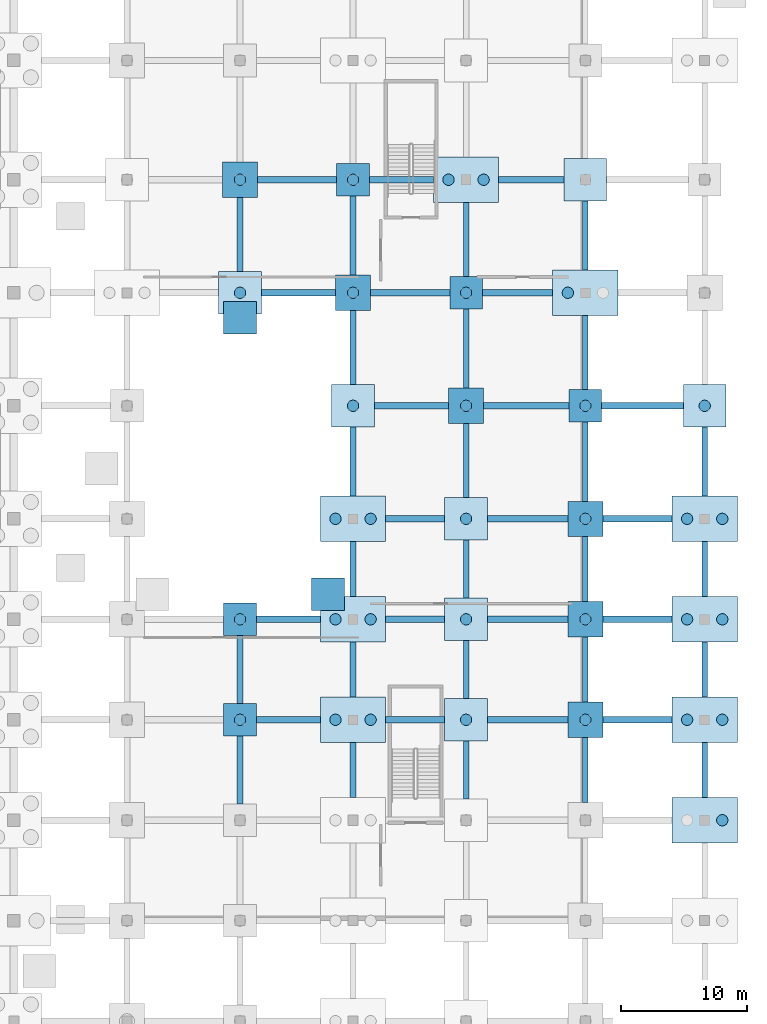
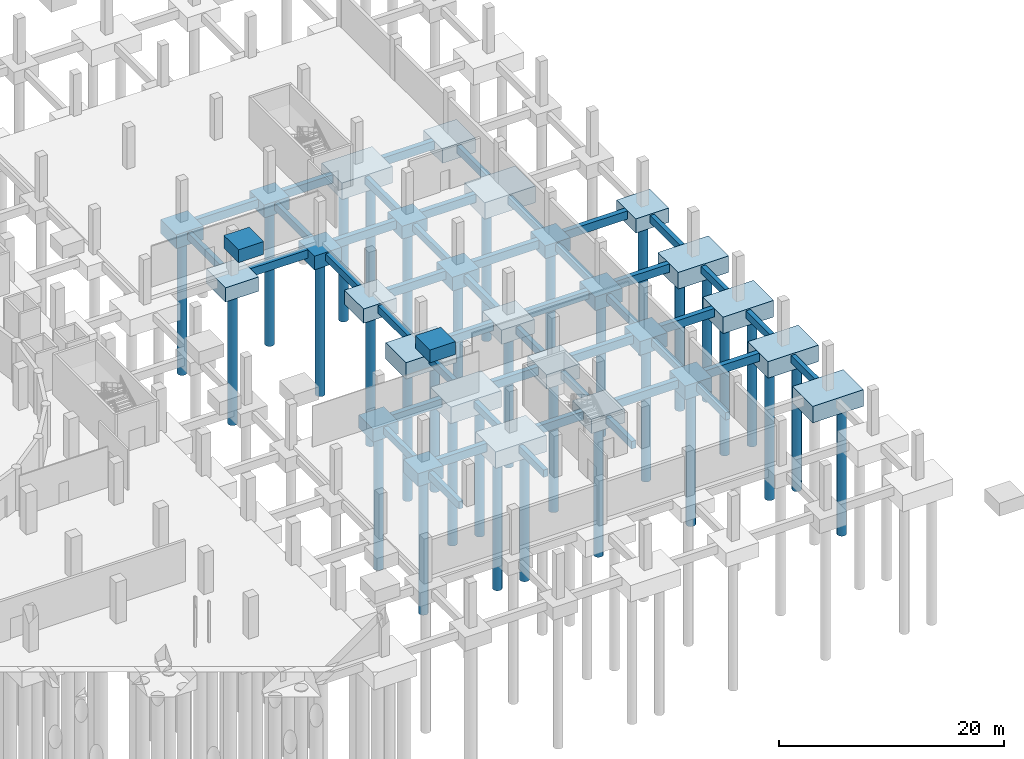
# One storey, part 9 of 40: 74 footings, 33 piles.
"""IFC4 building model written with IfcOpenShell, lengths in metres."""

from ifc_helpers import new_model, si_unit, direction, frame, origin, origin_2d, place, context, subcontext, project, spatial, rectangle, circle, extrude, material, layer, layer_set, material_profile, profile_set, type_object, element, save


model = new_model("IFC4")

# Units and contexts
model_context = context("Model", 3, precision=1e-05, world=origin(), true_north=direction((0.0, 1.0)))
body_context = subcontext(model_context, "Body", "Model", "MODEL_VIEW")
ifc_project = project(units=[si_unit("LENGTHUNIT", "METRE"), si_unit("AREAUNIT", "SQUARE_METRE"), si_unit("VOLUMEUNIT", "CUBIC_METRE"), si_unit("PLANEANGLEUNIT", "RADIAN"), si_unit("MASSUNIT", "GRAM", prefix="KILO")], contexts=[model_context])

# Site, building, storey
site_placement = place(None, origin())
site = spatial("IfcSite", under=ifc_project, at=site_placement, CompositionType="ELEMENT")
building_placement = place(site_placement, origin())
building = spatial("IfcBuilding", under=site, at=building_placement, Name="Marnock Terrace Opera House", CompositionType="ELEMENT")
storey_placement = place(building_placement, frame((0.0, 0.0, -4.800048828125)))
storey = spatial("IfcBuildingStorey", under=building, at=storey_placement, Name="B1", CompositionType="ELEMENT", Elevation=-4.800048828125)

# Footings
ifc_material = material(Name="Concrete N40 (f'c = 40 MPa)", Category="concrete")
ifc_layer_1 = layer(ifc_material, 1.39990234375)
ifc_layer_set_1 = layer_set([ifc_layer_1], Name="Concrete N40 (f'c = 40 MPa)")
footing_type_1 = type_object("IfcFootingType", Name="FT-CAP-2600", PredefinedType="PILE_CAP", material=ifc_layer_set_1)
for number, where, z_axis, x_axis, name in (
    (1, (127.0, 32.0, -1.7998046875), (0.0, 0.0, 1.0), (1.0, 0.0, 0.0), "Pile cap FT-CAP-164"),
    (2, (127.0, 40.0, -1.7998046875), (0.0, 0.0, 1.0), (1.0, 0.0, 0.0), "Pile cap FT-CAP-165"),
    (3, (136.0, 75.0, -1.7998046875), (0.0, 0.0, 1.0), (1.0, 0.0, 0.0), "Pile cap FT-CAP-179"),
    (4, (145.0, 66.0, -1.7998046875), (0.0, 0.0, 1.0), (1.0, 0.0, 0.0), "Pile cap FT-CAP-190"),
    (5, (154.5, 57.0, -1.7998046875), (0.0, 0.0, 1.0), (1.0, 0.0, 0.0), "Pile cap FT-CAP-201"),
):
    element("IfcFooting", number, at=place(storey_placement, frame(where, z_axis=z_axis, x_axis=x_axis)), inside=storey, type_object=footing_type_1, Name=name, PredefinedType="PILE_CAP", context=body_context, shape_type="SweptSolid", body=[
        extrude(rectangle(XDim=2.60009765625, YDim=2.60009765625, at=origin_2d()), origin(), (0.0, 0.0, 1.0), 1.39990234375),
    ])
ifc_layer_2 = layer(ifc_material, 1.5)
ifc_layer_set_2 = layer_set([ifc_layer_2], Name="Concrete N40 (f'c = 40 MPa)")
footing_type_2 = type_object("IfcFootingType", Name="FT-CAP-2800", PredefinedType="PILE_CAP", material=ifc_layer_set_2)
for number, where, z_axis, x_axis, name in (
    (6, (127.0, 75.0, -1.89990234375), (0.0, 0.0, 1.0), (1.0, 0.0, 0.0), "Pile cap FT-CAP-167"),
    (7, (136.0, 66.0, -1.89990234375), (0.0, 0.0, 1.0), (1.0, 0.0, 0.0), "Pile cap FT-CAP-178"),
    (8, (145.0, 57.0, -1.89990234375), (0.0, 0.0, 1.0), (1.0, 0.0, 0.0), "Pile cap FT-CAP-189"),
    (9, (154.5, 32.0, -1.89990234375), (0.0, 0.0, 1.0), (1.0, 0.0, 0.0), "Pile cap FT-CAP-198"),
    (10, (154.5, 40.0, -1.89990234375), (0.0, 0.0, 1.0), (1.0, 0.0, 0.0), "Pile cap FT-CAP-199"),
    (11, (154.5, 48.0, -1.89990234375), (0.0, 0.0, 1.0), (1.0, 0.0, 0.0), "Pile cap FT-CAP-200"),
):
    element("IfcFooting", number, at=place(storey_placement, frame(where, z_axis=z_axis, x_axis=x_axis)), inside=storey, type_object=footing_type_2, Name=name, PredefinedType="PILE_CAP", context=body_context, shape_type="SweptSolid", body=[
        extrude(rectangle(XDim=2.800048828125, YDim=2.800048828125, at=origin_2d()), origin(), (0.0, 0.0, 1.0), 1.5),
    ])
ifc_layer_3 = layer(ifc_material, 1.550048828125)
ifc_layer_set_3 = layer_set([ifc_layer_3], Name="Concrete N40 (f'c = 40 MPa)")
footing_type_3 = type_object("IfcFootingType", Name="FT-CAP-3400", PredefinedType="PILE_CAP", material=ifc_layer_set_3)
for number, where, z_axis, x_axis, name in (
    (12, (127.0, 66.0, -1.9501953125), (0.0, 0.0, 1.0), (1.0, 0.0, 0.0), "Pile cap FT-CAP-166"),
    (13, (136.0, 57.0, -1.9501953125), (0.0, 0.0, 1.0), (1.0, 0.0, 0.0), "Pile cap FT-CAP-177"),
    (14, (145.0, 32.0, -1.9501953125), (0.0, 0.0, 1.0), (1.0, 0.0, 0.0), "Pile cap FT-CAP-186"),
    (15, (145.0, 40.0, -1.9501953125), (0.0, 0.0, 1.0), (1.0, 0.0, 0.0), "Pile cap FT-CAP-187"),
    (16, (145.0, 48.0, -1.9501953125), (0.0, 0.0, 1.0), (1.0, 0.0, 0.0), "Pile cap FT-CAP-188"),
    (17, (154.5, 75.0, -1.9501953125), (0.0, 0.0, 1.0), (1.0, 0.0, 0.0), "Pile cap FT-CAP-203"),
    (18, (164.0, 57.0, -1.9501953125), (0.0, 0.0, 1.0), (1.0, 0.0, 0.0), "Pile cap FT-CAP-213"),
):
    element("IfcFooting", number, at=place(storey_placement, frame(where, z_axis=z_axis, x_axis=x_axis)), inside=storey, type_object=footing_type_3, Name=name, PredefinedType="PILE_CAP", context=body_context, shape_type="SweptSolid", body=[
        extrude(rectangle(XDim=3.39990234375, YDim=3.39990234375, at=origin_2d()), origin(), (0.0, 0.0, 1.0), 1.550048828125),
    ])
ifc_layer_4 = layer(ifc_material, 1.800048828125)
ifc_layer_set_4 = layer_set([ifc_layer_4], Name="Concrete N40 (f'c = 40 MPa)")
footing_type_4 = type_object("IfcFootingType", Name="FT-CAP-5200", PredefinedType="PILE_CAP", material=ifc_layer_set_4)
for number, where, z_axis, x_axis, name in (
    (19, (136.0, 32.0, -2.2001953125), (0.0, 0.0, 1.0), (1.0, 0.0, 0.0), "Pile cap FT-CAP-174"),
    (20, (136.0, 40.0, -2.2001953125), (0.0, 0.0, 1.0), (1.0, 0.0, 0.0), "Pile cap FT-CAP-175"),
    (21, (136.0, 48.0, -2.2001953125), (0.0, 0.0, 1.0), (1.0, 0.0, 0.0), "Pile cap FT-CAP-176"),
    (22, (145.0, 75.0, -2.2001953125), (0.0, 0.0, 1.0), (1.0, 0.0, 0.0), "Pile cap FT-CAP-191"),
    (23, (154.5, 66.0, -2.2001953125), (0.0, 0.0, 1.0), (1.0, 0.0, 0.0), "Pile cap FT-CAP-202"),
    (24, (164.0, 24.0, -2.2001953125), (0.0, 0.0, 1.0), (1.0, 0.0, 0.0), "Pile cap FT-CAP-209"),
    (25, (164.0, 32.0, -2.2001953125), (0.0, 0.0, 1.0), (1.0, 0.0, 0.0), "Pile cap FT-CAP-210"),
    (26, (164.0, 40.0, -2.2001953125), (0.0, 0.0, 1.0), (1.0, 0.0, 0.0), "Pile cap FT-CAP-211"),
    (27, (164.0, 48.0, -2.2001953125), (0.0, 0.0, 1.0), (1.0, 0.0, 0.0), "Pile cap FT-CAP-212"),
):
    element("IfcFooting", number, at=place(storey_placement, frame(where, z_axis=z_axis, x_axis=x_axis)), inside=storey, type_object=footing_type_4, Name=name, PredefinedType="PILE_CAP", context=body_context, shape_type="SweptSolid", body=[
        extrude(rectangle(XDim=5.199951171875, YDim=3.60009765625, at=origin_2d()), origin(), (0.0, 0.0, 1.0), 1.800048828125),
    ])
ifc_material_profile_1 = material_profile(ifc_material, rectangle(XDim=0.449951171875, YDim=0.800048828125, at=origin_2d()))
ifc_profile_set_1 = profile_set([ifc_material_profile_1], Name="Concrete N40 (f'c = 40 MPa)")
footing_type_5 = type_object("IfcFootingType", Name="FT-GB-450", PredefinedType="FOOTING_BEAM", material=ifc_profile_set_1)
for number, where, z_axis, x_axis, name in (
    (28, (127.0, 25.300048828125, -0.949951171875), (0.0, 1.0, 0.0), (-1.0, 0.0, 0.0), "Ground tie beam Y-143"),
    (29, (127.0, 33.300048828125, -0.949951171875), (0.0, 1.0, 0.0), (-1.0, 0.0, 0.0), "Ground tie beam Y-144"),
):
    element("IfcFooting", number, at=place(storey_placement, frame(where, z_axis=z_axis, x_axis=x_axis)), inside=storey, type_object=footing_type_5, Name=name, PredefinedType="FOOTING_BEAM", context=body_context, shape_type="SweptSolid", body=[
        extrude(rectangle(XDim=0.449951171875, YDim=0.800048828125, at=origin_2d()), origin(), (0.0, 0.0, 1.0), 5.39990234375),
    ])
footing_1_placement = place(storey_placement, frame((127.0, 67.699951171875, -0.949951171875), z_axis=(0.0, 1.0, 0.0), x_axis=(-1.0, 0.0, 0.0)))
element("IfcFooting", 30, at=footing_1_placement, inside=storey, type_object=footing_type_5, Name="Ground tie beam Y-145", PredefinedType="FOOTING_BEAM", context=body_context, shape_type="SweptSolid", body=[
    extrude(rectangle(XDim=0.449951171875, YDim=0.800048828125, at=origin_2d()), origin(), (0.0, 0.0, 1.0), 5.900146484375),
])
for number, where, z_axis, x_axis, name in (
    (31, (136.0, 25.800048828125, -0.949951171875), (0.0, 1.0, 0.0), (-1.0, 0.0, 0.0), "Ground tie beam Y-151"),
    (32, (136.0, 33.800048828125, -0.949951171875), (0.0, 1.0, 0.0), (-1.0, 0.0, 0.0), "Ground tie beam Y-152"),
    (33, (136.0, 41.800048828125, -0.949951171875), (0.0, 1.0, 0.0), (-1.0, 0.0, 0.0), "Ground tie beam Y-153"),
):
    element("IfcFooting", number, at=place(storey_placement, frame(where, z_axis=z_axis, x_axis=x_axis)), inside=storey, type_object=footing_type_5, Name=name, PredefinedType="FOOTING_BEAM", context=body_context, shape_type="SweptSolid", body=[
        extrude(rectangle(XDim=0.449951171875, YDim=0.800048828125, at=origin_2d()), origin(), (0.0, 0.0, 1.0), 4.39990234375),
    ])
footing_2_placement = place(storey_placement, frame((136.0, 49.800048828125, -0.949951171875), z_axis=(0.0, 1.0, 0.0), x_axis=(-1.0, 0.0, 0.0)))
element("IfcFooting", 34, at=footing_2_placement, inside=storey, type_object=footing_type_5, Name="Ground tie beam Y-154", PredefinedType="FOOTING_BEAM", context=body_context, shape_type="SweptSolid", body=[
    extrude(rectangle(XDim=0.449951171875, YDim=0.800048828125, at=origin_2d()), origin(), (0.0, 0.0, 1.0), 5.5),
])
footing_3_placement = place(storey_placement, frame((136.0, 58.699951171875, -0.949951171875), z_axis=(0.0, 1.0, 0.0), x_axis=(-1.0, 0.0, 0.0)))
element("IfcFooting", 35, at=footing_3_placement, inside=storey, type_object=footing_type_5, Name="Ground tie beam Y-155", PredefinedType="FOOTING_BEAM", context=body_context, shape_type="SweptSolid", body=[
    extrude(rectangle(XDim=0.449951171875, YDim=0.800048828125, at=origin_2d()), origin(), (0.0, 0.0, 1.0), 5.900146484375),
])
footing_4_placement = place(storey_placement, frame((136.0, 67.39990234375, -0.949951171875), z_axis=(0.0, 1.0, 0.0), x_axis=(-1.0, 0.0, 0.0)))
element("IfcFooting", 36, at=footing_4_placement, inside=storey, type_object=footing_type_5, Name="Ground tie beam Y-156", PredefinedType="FOOTING_BEAM", context=body_context, shape_type="SweptSolid", body=[
    extrude(rectangle(XDim=0.449951171875, YDim=0.800048828125, at=origin_2d()), origin(), (0.0, 0.0, 1.0), 6.300048828125),
])
for number, where, z_axis, x_axis, name in (
    (37, (145.0, 25.699951171875, -0.949951171875), (0.0, 1.0, 0.0), (-1.0, 0.0, 0.0), "Ground tie beam Y-162"),
    (38, (145.0, 33.699951171875, -0.949951171875), (0.0, 1.0, 0.0), (-1.0, 0.0, 0.0), "Ground tie beam Y-163"),
    (39, (145.0, 41.699951171875, -0.949951171875), (0.0, 1.0, 0.0), (-1.0, 0.0, 0.0), "Ground tie beam Y-164"),
):
    element("IfcFooting", number, at=place(storey_placement, frame(where, z_axis=z_axis, x_axis=x_axis)), inside=storey, type_object=footing_type_5, Name=name, PredefinedType="FOOTING_BEAM", context=body_context, shape_type="SweptSolid", body=[
        extrude(rectangle(XDim=0.449951171875, YDim=0.800048828125, at=origin_2d()), origin(), (0.0, 0.0, 1.0), 4.60009765625),
    ])
footing_5_placement = place(storey_placement, frame((145.0, 49.699951171875, -0.949951171875), z_axis=(0.0, 1.0, 0.0), x_axis=(-1.0, 0.0, 0.0)))
element("IfcFooting", 40, at=footing_5_placement, inside=storey, type_object=footing_type_5, Name="Ground tie beam Y-165", PredefinedType="FOOTING_BEAM", context=body_context, shape_type="SweptSolid", body=[
    extrude(rectangle(XDim=0.449951171875, YDim=0.800048828125, at=origin_2d()), origin(), (0.0, 0.0, 1.0), 5.900146484375),
])
footing_6_placement = place(storey_placement, frame((145.0, 58.39990234375, -0.949951171875), z_axis=(0.0, 1.0, 0.0), x_axis=(-1.0, 0.0, 0.0)))
element("IfcFooting", 41, at=footing_6_placement, inside=storey, type_object=footing_type_5, Name="Ground tie beam Y-166", PredefinedType="FOOTING_BEAM", context=body_context, shape_type="SweptSolid", body=[
    extrude(rectangle(XDim=0.449951171875, YDim=0.800048828125, at=origin_2d()), origin(), (0.0, 0.0, 1.0), 6.300048828125),
])
footing_7_placement = place(storey_placement, frame((145.0, 67.300048828125, -0.949951171875), z_axis=(0.0, 1.0, 0.0), x_axis=(-1.0, 0.0, 0.0)))
element("IfcFooting", 42, at=footing_7_placement, inside=storey, type_object=footing_type_5, Name="Ground tie beam Y-167", PredefinedType="FOOTING_BEAM", context=body_context, shape_type="SweptSolid", body=[
    extrude(rectangle(XDim=0.449951171875, YDim=0.800048828125, at=origin_2d()), origin(), (0.0, 0.0, 1.0), 5.89990234375),
])
for number, where, z_axis, x_axis, name in (
    (43, (154.5, 25.39990234375, -0.949951171875), (0.0, 1.0, 0.0), (-1.0, 0.0, 0.0), "Ground tie beam Y-173"),
    (44, (154.5, 33.39990234375, -0.949951171875), (0.0, 1.0, 0.0), (-1.0, 0.0, 0.0), "Ground tie beam Y-174"),
    (45, (154.5, 41.39990234375, -0.949951171875), (0.0, 1.0, 0.0), (-1.0, 0.0, 0.0), "Ground tie beam Y-175"),
):
    element("IfcFooting", number, at=place(storey_placement, frame(where, z_axis=z_axis, x_axis=x_axis)), inside=storey, type_object=footing_type_5, Name=name, PredefinedType="FOOTING_BEAM", context=body_context, shape_type="SweptSolid", body=[
        extrude(rectangle(XDim=0.449951171875, YDim=0.800048828125, at=origin_2d()), origin(), (0.0, 0.0, 1.0), 5.2001953125),
    ])
footing_8_placement = place(storey_placement, frame((154.5, 49.39990234375, -0.949951171875), z_axis=(0.0, 1.0, 0.0), x_axis=(-1.0, 0.0, 0.0)))
element("IfcFooting", 46, at=footing_8_placement, inside=storey, type_object=footing_type_5, Name="Ground tie beam Y-176", PredefinedType="FOOTING_BEAM", context=body_context, shape_type="SweptSolid", body=[
    extrude(rectangle(XDim=0.449951171875, YDim=0.800048828125, at=origin_2d()), origin(), (0.0, 0.0, 1.0), 6.300048828125),
])
footing_9_placement = place(storey_placement, frame((154.5, 58.300048828125, -0.949951171875), z_axis=(0.0, 1.0, 0.0), x_axis=(-1.0, 0.0, 0.0)))
element("IfcFooting", 47, at=footing_9_placement, inside=storey, type_object=footing_type_5, Name="Ground tie beam Y-177", PredefinedType="FOOTING_BEAM", context=body_context, shape_type="SweptSolid", body=[
    extrude(rectangle(XDim=0.449951171875, YDim=0.800048828125, at=origin_2d()), origin(), (0.0, 0.0, 1.0), 5.89990234375),
])
footing_10_placement = place(storey_placement, frame((154.5, 67.800048828125, -0.949951171875), z_axis=(0.0, 1.0, 0.0), x_axis=(-1.0, 0.0, 0.0)))
element("IfcFooting", 48, at=footing_10_placement, inside=storey, type_object=footing_type_5, Name="Ground tie beam Y-178", PredefinedType="FOOTING_BEAM", context=body_context, shape_type="SweptSolid", body=[
    extrude(rectangle(XDim=0.449951171875, YDim=0.800048828125, at=origin_2d()), origin(), (0.0, 0.0, 1.0), 5.5),
])
for number, where, z_axis, x_axis, name in (
    (49, (164.0, 25.800048828125, -0.949951171875), (0.0, 1.0, 0.0), (-1.0, 0.0, 0.0), "Ground tie beam Y-184"),
    (50, (164.0, 33.800048828125, -0.949951171875), (0.0, 1.0, 0.0), (-1.0, 0.0, 0.0), "Ground tie beam Y-185"),
    (51, (164.0, 41.800048828125, -0.949951171875), (0.0, 1.0, 0.0), (-1.0, 0.0, 0.0), "Ground tie beam Y-186"),
):
    element("IfcFooting", number, at=place(storey_placement, frame(where, z_axis=z_axis, x_axis=x_axis)), inside=storey, type_object=footing_type_5, Name=name, PredefinedType="FOOTING_BEAM", context=body_context, shape_type="SweptSolid", body=[
        extrude(rectangle(XDim=0.449951171875, YDim=0.800048828125, at=origin_2d()), origin(), (0.0, 0.0, 1.0), 4.39990234375),
    ])
footing_11_placement = place(storey_placement, frame((164.0, 49.800048828125, -0.949951171875), z_axis=(0.0, 1.0, 0.0), x_axis=(-1.0, 0.0, 0.0)))
element("IfcFooting", 52, at=footing_11_placement, inside=storey, type_object=footing_type_5, Name="Ground tie beam Y-187", PredefinedType="FOOTING_BEAM", context=body_context, shape_type="SweptSolid", body=[
    extrude(rectangle(XDim=0.449951171875, YDim=0.800048828125, at=origin_2d()), origin(), (0.0, 0.0, 1.0), 5.5),
])
ifc_material_profile_2 = material_profile(ifc_material, rectangle(XDim=0.5, YDim=0.89990234375, at=origin_2d()))
ifc_profile_set_2 = profile_set([ifc_material_profile_2], Name="Concrete N40 (f'c = 40 MPa)")
footing_type_6 = type_object("IfcFootingType", Name="FT-GB-500", PredefinedType="FOOTING_BEAM", material=ifc_profile_set_2)
footing_12_placement = place(storey_placement, frame((128.300048828125, 32.0, -0.849853515625), z_axis=(1.0, 0.0, 0.0), x_axis=(0.0, 1.0, 0.0)))
element("IfcFooting", 53, at=footing_12_placement, inside=storey, type_object=footing_type_6, Name="Ground tie beam X-265", PredefinedType="FOOTING_BEAM", context=body_context, shape_type="SweptSolid", body=[
    extrude(rectangle(XDim=0.5, YDim=0.89990234375, at=origin_2d()), origin(), (0.0, 0.0, 1.0), 5.099853515625),
])
footing_13_placement = place(storey_placement, frame((138.60009765625, 32.0, -0.849853515625), z_axis=(1.0, 0.0, 0.0), x_axis=(0.0, 1.0, 0.0)))
element("IfcFooting", 54, at=footing_13_placement, inside=storey, type_object=footing_type_6, Name="Ground tie beam X-266", PredefinedType="FOOTING_BEAM", context=body_context, shape_type="SweptSolid", body=[
    extrude(rectangle(XDim=0.5, YDim=0.89990234375, at=origin_2d()), origin(), (0.0, 0.0, 1.0), 4.699951171875),
])
footing_14_placement = place(storey_placement, frame((146.699951171875, 32.0, -0.849853515625), z_axis=(1.0, 0.0, 0.0), x_axis=(0.0, 1.0, 0.0)))
element("IfcFooting", 55, at=footing_14_placement, inside=storey, type_object=footing_type_6, Name="Ground tie beam X-267", PredefinedType="FOOTING_BEAM", context=body_context, shape_type="SweptSolid", body=[
    extrude(rectangle(XDim=0.5, YDim=0.89990234375, at=origin_2d()), origin(), (0.0, 0.0, 1.0), 6.400146484375),
])
footing_15_placement = place(storey_placement, frame((155.89990234375, 32.0, -0.849853515625), z_axis=(1.0, 0.0, 0.0), x_axis=(0.0, 1.0, 0.0)))
element("IfcFooting", 56, at=footing_15_placement, inside=storey, type_object=footing_type_6, Name="Ground tie beam X-268", PredefinedType="FOOTING_BEAM", context=body_context, shape_type="SweptSolid", body=[
    extrude(rectangle(XDim=0.5, YDim=0.89990234375, at=origin_2d()), origin(), (0.0, 0.0, 1.0), 5.5),
])
footing_16_placement = place(storey_placement, frame((128.300048828125, 40.0, -0.849853515625), z_axis=(1.0, 0.0, 0.0), x_axis=(0.0, 1.0, 0.0)))
element("IfcFooting", 57, at=footing_16_placement, inside=storey, type_object=footing_type_6, Name="Ground tie beam X-281", PredefinedType="FOOTING_BEAM", context=body_context, shape_type="SweptSolid", body=[
    extrude(rectangle(XDim=0.5, YDim=0.89990234375, at=origin_2d()), origin(), (0.0, 0.0, 1.0), 5.099853515625),
])
footing_17_placement = place(storey_placement, frame((138.60009765625, 40.0, -0.849853515625), z_axis=(1.0, 0.0, 0.0), x_axis=(0.0, 1.0, 0.0)))
element("IfcFooting", 58, at=footing_17_placement, inside=storey, type_object=footing_type_6, Name="Ground tie beam X-282", PredefinedType="FOOTING_BEAM", context=body_context, shape_type="SweptSolid", body=[
    extrude(rectangle(XDim=0.5, YDim=0.89990234375, at=origin_2d()), origin(), (0.0, 0.0, 1.0), 4.699951171875),
])
footing_18_placement = place(storey_placement, frame((146.699951171875, 40.0, -0.849853515625), z_axis=(1.0, 0.0, 0.0), x_axis=(0.0, 1.0, 0.0)))
element("IfcFooting", 59, at=footing_18_placement, inside=storey, type_object=footing_type_6, Name="Ground tie beam X-283", PredefinedType="FOOTING_BEAM", context=body_context, shape_type="SweptSolid", body=[
    extrude(rectangle(XDim=0.5, YDim=0.89990234375, at=origin_2d()), origin(), (0.0, 0.0, 1.0), 6.400146484375),
])
footing_19_placement = place(storey_placement, frame((155.89990234375, 40.0, -0.849853515625), z_axis=(1.0, 0.0, 0.0), x_axis=(0.0, 1.0, 0.0)))
element("IfcFooting", 60, at=footing_19_placement, inside=storey, type_object=footing_type_6, Name="Ground tie beam X-284", PredefinedType="FOOTING_BEAM", context=body_context, shape_type="SweptSolid", body=[
    extrude(rectangle(XDim=0.5, YDim=0.89990234375, at=origin_2d()), origin(), (0.0, 0.0, 1.0), 5.5),
])
footing_20_placement = place(storey_placement, frame((138.60009765625, 48.0, -0.849853515625), z_axis=(1.0, 0.0, 0.0), x_axis=(0.0, 1.0, 0.0)))
element("IfcFooting", 61, at=footing_20_placement, inside=storey, type_object=footing_type_6, Name="Ground tie beam X-294", PredefinedType="FOOTING_BEAM", context=body_context, shape_type="SweptSolid", body=[
    extrude(rectangle(XDim=0.5, YDim=0.89990234375, at=origin_2d()), origin(), (0.0, 0.0, 1.0), 4.699951171875),
])
footing_21_placement = place(storey_placement, frame((146.699951171875, 48.0, -0.849853515625), z_axis=(1.0, 0.0, 0.0), x_axis=(0.0, 1.0, 0.0)))
element("IfcFooting", 62, at=footing_21_placement, inside=storey, type_object=footing_type_6, Name="Ground tie beam X-295", PredefinedType="FOOTING_BEAM", context=body_context, shape_type="SweptSolid", body=[
    extrude(rectangle(XDim=0.5, YDim=0.89990234375, at=origin_2d()), origin(), (0.0, 0.0, 1.0), 6.400146484375),
])
footing_22_placement = place(storey_placement, frame((155.89990234375, 48.0, -0.849853515625), z_axis=(1.0, 0.0, 0.0), x_axis=(0.0, 1.0, 0.0)))
element("IfcFooting", 63, at=footing_22_placement, inside=storey, type_object=footing_type_6, Name="Ground tie beam X-296", PredefinedType="FOOTING_BEAM", context=body_context, shape_type="SweptSolid", body=[
    extrude(rectangle(XDim=0.5, YDim=0.89990234375, at=origin_2d()), origin(), (0.0, 0.0, 1.0), 5.5),
])
footing_23_placement = place(storey_placement, frame((137.699951171875, 57.0, -0.849853515625), z_axis=(1.0, 0.0, 0.0), x_axis=(0.0, 1.0, 0.0)))
element("IfcFooting", 64, at=footing_23_placement, inside=storey, type_object=footing_type_6, Name="Ground tie beam X-306", PredefinedType="FOOTING_BEAM", context=body_context, shape_type="SweptSolid", body=[
    extrude(rectangle(XDim=0.5, YDim=0.89990234375, at=origin_2d()), origin(), (0.0, 0.0, 1.0), 5.900146484375),
])
footing_24_placement = place(storey_placement, frame((146.39990234375, 57.0, -0.849853515625), z_axis=(1.0, 0.0, 0.0), x_axis=(0.0, 1.0, 0.0)))
element("IfcFooting", 65, at=footing_24_placement, inside=storey, type_object=footing_type_6, Name="Ground tie beam X-307", PredefinedType="FOOTING_BEAM", context=body_context, shape_type="SweptSolid", body=[
    extrude(rectangle(XDim=0.5, YDim=0.89990234375, at=origin_2d()), origin(), (0.0, 0.0, 1.0), 6.800048828125),
])
footing_25_placement = place(storey_placement, frame((155.800048828125, 57.0, -0.849853515625), z_axis=(1.0, 0.0, 0.0), x_axis=(0.0, 1.0, 0.0)))
element("IfcFooting", 66, at=footing_25_placement, inside=storey, type_object=footing_type_6, Name="Ground tie beam X-308", PredefinedType="FOOTING_BEAM", context=body_context, shape_type="SweptSolid", body=[
    extrude(rectangle(XDim=0.5, YDim=0.89990234375, at=origin_2d()), origin(), (0.0, 0.0, 1.0), 6.5),
])
footing_26_placement = place(storey_placement, frame((128.699951171875, 66.0, -0.849853515625), z_axis=(1.0, 0.0, 0.0), x_axis=(0.0, 1.0, 0.0)))
element("IfcFooting", 67, at=footing_26_placement, inside=storey, type_object=footing_type_6, Name="Ground tie beam X-319", PredefinedType="FOOTING_BEAM", context=body_context, shape_type="SweptSolid", body=[
    extrude(rectangle(XDim=0.5, YDim=0.89990234375, at=origin_2d()), origin(), (0.0, 0.0, 1.0), 5.900146484375),
])
footing_27_placement = place(storey_placement, frame((137.39990234375, 66.0, -0.849853515625), z_axis=(1.0, 0.0, 0.0), x_axis=(0.0, 1.0, 0.0)))
element("IfcFooting", 68, at=footing_27_placement, inside=storey, type_object=footing_type_6, Name="Ground tie beam X-320", PredefinedType="FOOTING_BEAM", context=body_context, shape_type="SweptSolid", body=[
    extrude(rectangle(XDim=0.5, YDim=0.89990234375, at=origin_2d()), origin(), (0.0, 0.0, 1.0), 6.300048828125),
])
footing_28_placement = place(storey_placement, frame((146.300048828125, 66.0, -0.849853515625), z_axis=(1.0, 0.0, 0.0), x_axis=(0.0, 1.0, 0.0)))
element("IfcFooting", 69, at=footing_28_placement, inside=storey, type_object=footing_type_6, Name="Ground tie beam X-321", PredefinedType="FOOTING_BEAM", context=body_context, shape_type="SweptSolid", body=[
    extrude(rectangle(XDim=0.5, YDim=0.89990234375, at=origin_2d()), origin(), (0.0, 0.0, 1.0), 5.599853515625),
])
footing_29_placement = place(storey_placement, frame((128.39990234375, 75.0, -0.849853515625), z_axis=(1.0, 0.0, 0.0), x_axis=(0.0, 1.0, 0.0)))
element("IfcFooting", 70, at=footing_29_placement, inside=storey, type_object=footing_type_6, Name="Ground tie beam X-333", PredefinedType="FOOTING_BEAM", context=body_context, shape_type="SweptSolid", body=[
    extrude(rectangle(XDim=0.5, YDim=0.89990234375, at=origin_2d()), origin(), (0.0, 0.0, 1.0), 6.300048828125),
])
footing_30_placement = place(storey_placement, frame((137.300048828125, 75.0, -0.849853515625), z_axis=(1.0, 0.0, 0.0), x_axis=(0.0, 1.0, 0.0)))
element("IfcFooting", 71, at=footing_30_placement, inside=storey, type_object=footing_type_6, Name="Ground tie beam X-334", PredefinedType="FOOTING_BEAM", context=body_context, shape_type="SweptSolid", body=[
    extrude(rectangle(XDim=0.5, YDim=0.89990234375, at=origin_2d()), origin(), (0.0, 0.0, 1.0), 5.099853515625),
])
footing_31_placement = place(storey_placement, frame((147.60009765625, 75.0, -0.849853515625), z_axis=(1.0, 0.0, 0.0), x_axis=(0.0, 1.0, 0.0)))
element("IfcFooting", 72, at=footing_31_placement, inside=storey, type_object=footing_type_6, Name="Ground tie beam X-335", PredefinedType="FOOTING_BEAM", context=body_context, shape_type="SweptSolid", body=[
    extrude(rectangle(XDim=0.5, YDim=0.89990234375, at=origin_2d()), origin(), (0.0, 0.0, 1.0), 5.199951171875),
])
ifc_layer_5 = layer(ifc_material, 1.39990234375)
ifc_layer_set_5 = layer_set([ifc_layer_5], Name="Concrete N40 (f'c = 40 MPa)")
footing_type_7 = type_object("IfcFootingType", Name="FT-PAD-2600", PredefinedType="PAD_FOOTING", material=ifc_layer_set_5)
for number, where, z_axis, x_axis, name in (
    (73, (134.0, 42.0, 3.16015625), (0.0, 0.0, 1.0), (1.0, 0.0, 0.0), "Upper-terrace grade pad footing FT-APR-CE2"),
    (74, (127.0, 64.0, 3.16015625), (0.0, 0.0, 1.0), (1.0, 0.0, 0.0), "Upper-terrace grade pad footing FT-APR-CE3"),
):
    element("IfcFooting", number, at=place(storey_placement, frame(where, z_axis=z_axis, x_axis=x_axis)), inside=storey, type_object=footing_type_7, Name=name, PredefinedType="PAD_FOOTING", context=body_context, shape_type="SweptSolid", body=[
        extrude(rectangle(XDim=2.60009765625, YDim=2.60009765625, at=origin_2d()), origin(), (0.0, 0.0, 1.0), 1.39990234375),
    ])

# Piles
ifc_material_profile_3 = material_profile(ifc_material, circle(Radius=0.449951171875, at=origin_2d()))
ifc_profile_set_3 = profile_set([ifc_material_profile_3], Name="Concrete N40 (f'c = 40 MPa)")
pile_type = type_object("IfcPileType", Name="PILE-CFA-900", PredefinedType="BORED", material=ifc_profile_set_3)
for number, where, z_axis, x_axis, name in (
    (75, (127.0, 32.0, -1.699951171875), (0.0, 0.0, -1.0), (1.0, 0.0, 0.0), "Bored CFA pile 164.1"),
    (76, (127.0, 40.0, -1.699951171875), (0.0, 0.0, -1.0), (1.0, 0.0, 0.0), "Bored CFA pile 165.1"),
):
    element("IfcPile", number, at=place(storey_placement, frame(where, z_axis=z_axis, x_axis=x_axis)), inside=storey, type_object=pile_type, Name=name, PredefinedType="BORED", context=body_context, shape_type="SweptSolid", body=[
        extrude(circle(Radius=0.449951171875, at=origin_2d()), origin(), (0.0, 0.0, 1.0), 15.0),
    ])
pile_1_placement = place(storey_placement, frame((127.0, 66.0, -1.849853515625), z_axis=(0.0, 0.0, -1.0), x_axis=(1.0, 0.0, 0.0)))
element("IfcPile", 77, at=pile_1_placement, inside=storey, type_object=pile_type, Name="Bored CFA pile 166.1", PredefinedType="BORED", context=body_context, shape_type="SweptSolid", body=[
    extrude(circle(Radius=0.449951171875, at=origin_2d()), origin(), (0.0, 0.0, 1.0), 14.85009765625),
])
pile_2_placement = place(storey_placement, frame((127.0, 75.0, -1.800048828125), z_axis=(0.0, 0.0, -1.0), x_axis=(1.0, 0.0, 0.0)))
element("IfcPile", 78, at=pile_2_placement, inside=storey, type_object=pile_type, Name="Bored CFA pile 167.1", PredefinedType="BORED", context=body_context, shape_type="SweptSolid", body=[
    extrude(circle(Radius=0.449951171875, at=origin_2d()), origin(), (0.0, 0.0, 1.0), 14.89990234375),
])
for number, where, z_axis, x_axis, name in (
    (79, (134.60009765625, 32.0, -2.099853515625), (0.0, 0.0, -1.0), (1.0, 0.0, 0.0), "Bored CFA pile 174.1"),
    (80, (137.39990234375, 32.0, -2.099853515625), (0.0, 0.0, -1.0), (1.0, 0.0, 0.0), "Bored CFA pile 174.2"),
    (81, (134.60009765625, 40.0, -2.099853515625), (0.0, 0.0, -1.0), (1.0, 0.0, 0.0), "Bored CFA pile 175.1"),
    (82, (137.39990234375, 40.0, -2.099853515625), (0.0, 0.0, -1.0), (1.0, 0.0, 0.0), "Bored CFA pile 175.2"),
    (83, (134.60009765625, 48.0, -2.099853515625), (0.0, 0.0, -1.0), (1.0, 0.0, 0.0), "Bored CFA pile 176.1"),
    (84, (137.39990234375, 48.0, -2.099853515625), (0.0, 0.0, -1.0), (1.0, 0.0, 0.0), "Bored CFA pile 176.2"),
):
    element("IfcPile", number, at=place(storey_placement, frame(where, z_axis=z_axis, x_axis=x_axis)), inside=storey, type_object=pile_type, Name=name, PredefinedType="BORED", context=body_context, shape_type="SweptSolid", body=[
        extrude(circle(Radius=0.449951171875, at=origin_2d()), origin(), (0.0, 0.0, 1.0), 14.60009765625),
    ])
pile_3_placement = place(storey_placement, frame((136.0, 57.0, -1.849853515625), z_axis=(0.0, 0.0, -1.0), x_axis=(1.0, 0.0, 0.0)))
element("IfcPile", 85, at=pile_3_placement, inside=storey, type_object=pile_type, Name="Bored CFA pile 177.1", PredefinedType="BORED", context=body_context, shape_type="SweptSolid", body=[
    extrude(circle(Radius=0.449951171875, at=origin_2d()), origin(), (0.0, 0.0, 1.0), 14.85009765625),
])
pile_4_placement = place(storey_placement, frame((136.0, 66.0, -1.800048828125), z_axis=(0.0, 0.0, -1.0), x_axis=(1.0, 0.0, 0.0)))
element("IfcPile", 86, at=pile_4_placement, inside=storey, type_object=pile_type, Name="Bored CFA pile 178.1", PredefinedType="BORED", context=body_context, shape_type="SweptSolid", body=[
    extrude(circle(Radius=0.449951171875, at=origin_2d()), origin(), (0.0, 0.0, 1.0), 14.89990234375),
])
pile_5_placement = place(storey_placement, frame((136.0, 75.0, -1.699951171875), z_axis=(0.0, 0.0, -1.0), x_axis=(1.0, 0.0, 0.0)))
element("IfcPile", 87, at=pile_5_placement, inside=storey, type_object=pile_type, Name="Bored CFA pile 179.1", PredefinedType="BORED", context=body_context, shape_type="SweptSolid", body=[
    extrude(circle(Radius=0.449951171875, at=origin_2d()), origin(), (0.0, 0.0, 1.0), 15.0),
])
for number, where, z_axis, x_axis, name in (
    (88, (145.0, 32.0, -1.849853515625), (0.0, 0.0, -1.0), (1.0, 0.0, 0.0), "Bored CFA pile 186.1"),
    (89, (145.0, 40.0, -1.849853515625), (0.0, 0.0, -1.0), (1.0, 0.0, 0.0), "Bored CFA pile 187.1"),
    (90, (145.0, 48.0, -1.849853515625), (0.0, 0.0, -1.0), (1.0, 0.0, 0.0), "Bored CFA pile 188.1"),
):
    element("IfcPile", number, at=place(storey_placement, frame(where, z_axis=z_axis, x_axis=x_axis)), inside=storey, type_object=pile_type, Name=name, PredefinedType="BORED", context=body_context, shape_type="SweptSolid", body=[
        extrude(circle(Radius=0.449951171875, at=origin_2d()), origin(), (0.0, 0.0, 1.0), 14.85009765625),
    ])
pile_6_placement = place(storey_placement, frame((145.0, 57.0, -1.800048828125), z_axis=(0.0, 0.0, -1.0), x_axis=(1.0, 0.0, 0.0)))
element("IfcPile", 91, at=pile_6_placement, inside=storey, type_object=pile_type, Name="Bored CFA pile 189.1", PredefinedType="BORED", context=body_context, shape_type="SweptSolid", body=[
    extrude(circle(Radius=0.449951171875, at=origin_2d()), origin(), (0.0, 0.0, 1.0), 14.89990234375),
])
pile_7_placement = place(storey_placement, frame((145.0, 66.0, -1.699951171875), z_axis=(0.0, 0.0, -1.0), x_axis=(1.0, 0.0, 0.0)))
element("IfcPile", 92, at=pile_7_placement, inside=storey, type_object=pile_type, Name="Bored CFA pile 190.1", PredefinedType="BORED", context=body_context, shape_type="SweptSolid", body=[
    extrude(circle(Radius=0.449951171875, at=origin_2d()), origin(), (0.0, 0.0, 1.0), 15.0),
])
for number, where, z_axis, x_axis, name in (
    (93, (143.60009765625, 75.0, -2.099853515625), (0.0, 0.0, -1.0), (1.0, 0.0, 0.0), "Bored CFA pile 191.1"),
    (94, (146.39990234375, 75.0, -2.099853515625), (0.0, 0.0, -1.0), (1.0, 0.0, 0.0), "Bored CFA pile 191.2"),
):
    element("IfcPile", number, at=place(storey_placement, frame(where, z_axis=z_axis, x_axis=x_axis)), inside=storey, type_object=pile_type, Name=name, PredefinedType="BORED", context=body_context, shape_type="SweptSolid", body=[
        extrude(circle(Radius=0.449951171875, at=origin_2d()), origin(), (0.0, 0.0, 1.0), 14.60009765625),
    ])
for number, where, z_axis, x_axis, name in (
    (95, (154.5, 32.0, -1.800048828125), (0.0, 0.0, -1.0), (1.0, 0.0, 0.0), "Bored CFA pile 198.1"),
    (96, (154.5, 40.0, -1.800048828125), (0.0, 0.0, -1.0), (1.0, 0.0, 0.0), "Bored CFA pile 199.1"),
    (97, (154.5, 48.0, -1.800048828125), (0.0, 0.0, -1.0), (1.0, 0.0, 0.0), "Bored CFA pile 200.1"),
):
    element("IfcPile", number, at=place(storey_placement, frame(where, z_axis=z_axis, x_axis=x_axis)), inside=storey, type_object=pile_type, Name=name, PredefinedType="BORED", context=body_context, shape_type="SweptSolid", body=[
        extrude(circle(Radius=0.449951171875, at=origin_2d()), origin(), (0.0, 0.0, 1.0), 14.89990234375),
    ])
pile_8_placement = place(storey_placement, frame((154.5, 57.0, -1.699951171875), z_axis=(0.0, 0.0, -1.0), x_axis=(1.0, 0.0, 0.0)))
element("IfcPile", 98, at=pile_8_placement, inside=storey, type_object=pile_type, Name="Bored CFA pile 201.1", PredefinedType="BORED", context=body_context, shape_type="SweptSolid", body=[
    extrude(circle(Radius=0.449951171875, at=origin_2d()), origin(), (0.0, 0.0, 1.0), 15.0),
])
for number, where, z_axis, x_axis, name in (
    (99, (153.10009765625, 66.0, -2.099853515625), (0.0, 0.0, -1.0), (1.0, 0.0, 0.0), "Bored CFA pile 202.1"),
    (100, (165.39990234375, 24.0, -2.099853515625), (0.0, 0.0, -1.0), (1.0, 0.0, 0.0), "Bored CFA pile 209.2"),
    (101, (162.60009765625, 32.0, -2.099853515625), (0.0, 0.0, -1.0), (1.0, 0.0, 0.0), "Bored CFA pile 210.1"),
    (102, (165.39990234375, 32.0, -2.099853515625), (0.0, 0.0, -1.0), (1.0, 0.0, 0.0), "Bored CFA pile 210.2"),
    (103, (162.60009765625, 40.0, -2.099853515625), (0.0, 0.0, -1.0), (1.0, 0.0, 0.0), "Bored CFA pile 211.1"),
    (104, (165.39990234375, 40.0, -2.099853515625), (0.0, 0.0, -1.0), (1.0, 0.0, 0.0), "Bored CFA pile 211.2"),
    (105, (162.60009765625, 48.0, -2.099853515625), (0.0, 0.0, -1.0), (1.0, 0.0, 0.0), "Bored CFA pile 212.1"),
    (106, (165.39990234375, 48.0, -2.099853515625), (0.0, 0.0, -1.0), (1.0, 0.0, 0.0), "Bored CFA pile 212.2"),
):
    element("IfcPile", number, at=place(storey_placement, frame(where, z_axis=z_axis, x_axis=x_axis)), inside=storey, type_object=pile_type, Name=name, PredefinedType="BORED", context=body_context, shape_type="SweptSolid", body=[
        extrude(circle(Radius=0.449951171875, at=origin_2d()), origin(), (0.0, 0.0, 1.0), 14.60009765625),
    ])
pile_9_placement = place(storey_placement, frame((164.0, 57.0, -1.849853515625), z_axis=(0.0, 0.0, -1.0), x_axis=(1.0, 0.0, 0.0)))
element("IfcPile", 107, at=pile_9_placement, inside=storey, type_object=pile_type, Name="Bored CFA pile 213.1", PredefinedType="BORED", context=body_context, shape_type="SweptSolid", body=[
    extrude(circle(Radius=0.449951171875, at=origin_2d()), origin(), (0.0, 0.0, 1.0), 14.85009765625),
])

save(model, "model.ifc")
